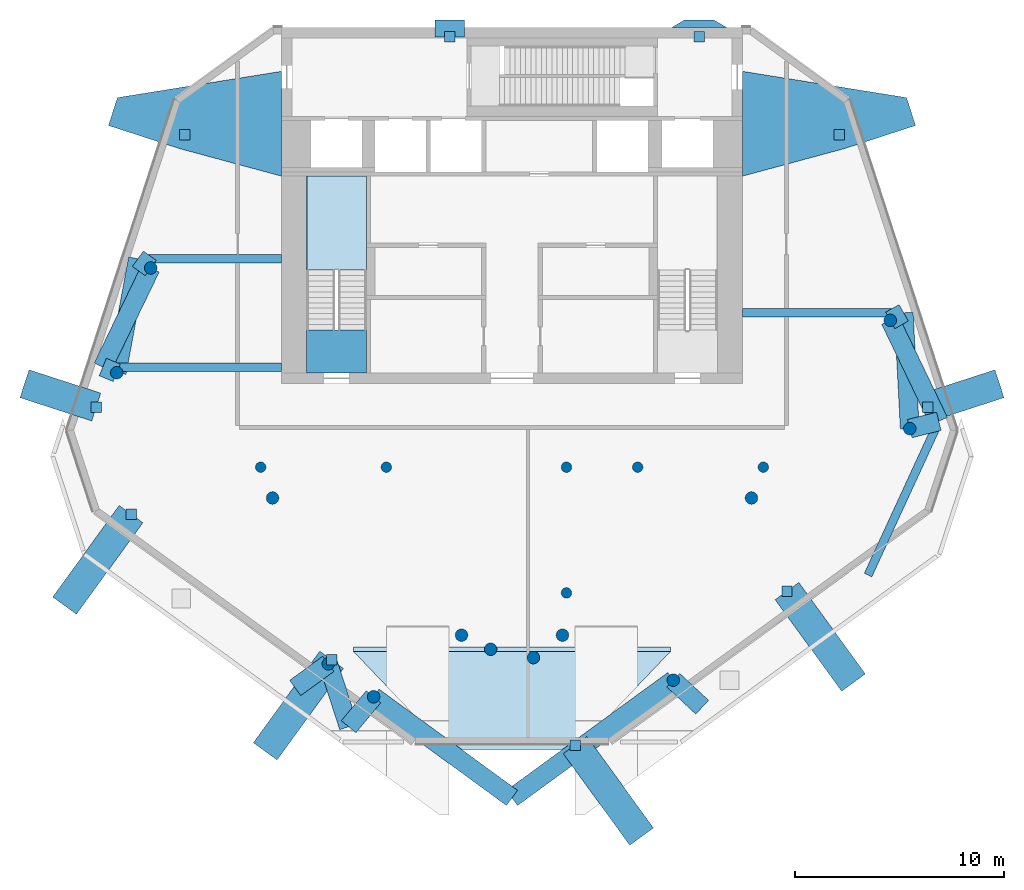
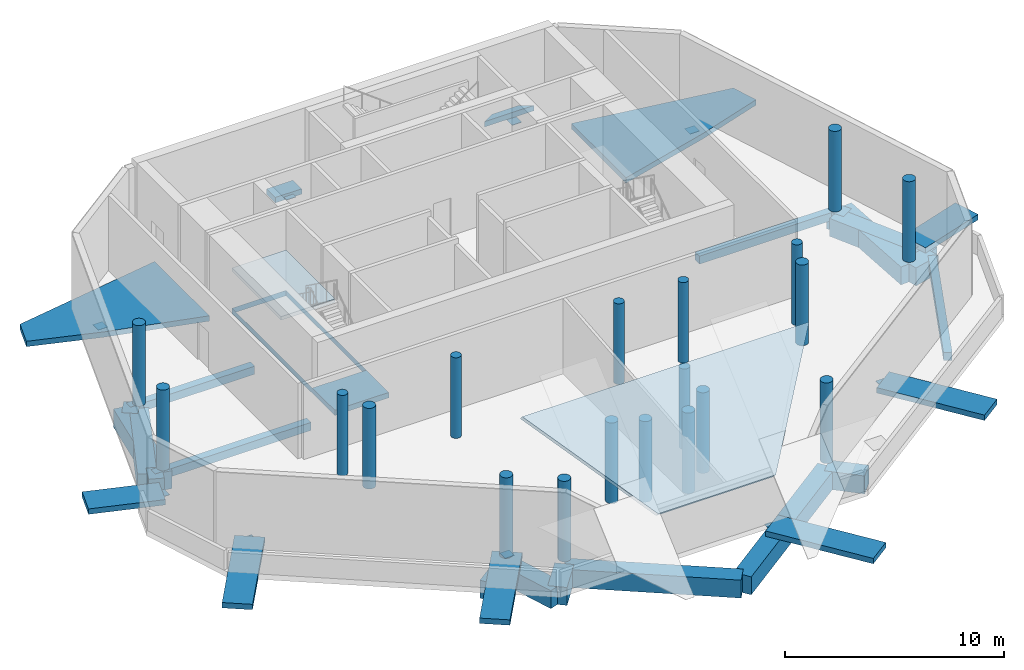
# One storey, part 1 of 8: 19 columns, 18 beams, 10 discrete accessories, 10 members, 3 slabs, 1 element without a shape of its own.
"""IFC4 building model written with IfcOpenShell, lengths in metres."""

from ifc_helpers import new_model, si_unit, direction, frame, origin, origin_2d, place, context, subcontext, project, spatial, polyline, rectangle, circle, outline, extrude, material, layer, layer_set, material_profile, profile_set, type_object, element, aggregate, save


model = new_model("IFC4")

# Units and contexts
model_context = context("Model", 3, precision=1e-05, world=origin(), true_north=direction((0.0, 1.0)))
body_context = subcontext(model_context, "Body", "Model", "MODEL_VIEW")
ifc_project = project(units=[si_unit("LENGTHUNIT", "METRE"), si_unit("AREAUNIT", "SQUARE_METRE"), si_unit("VOLUMEUNIT", "CUBIC_METRE"), si_unit("PLANEANGLEUNIT", "RADIAN"), si_unit("MASSUNIT", "GRAM", prefix="KILO")], contexts=[model_context])

# Site, building, storey
site_placement = place(None, origin())
site = spatial("IfcSite", under=ifc_project, at=site_placement, CompositionType="ELEMENT")
building_placement = place(site_placement, origin())
building = spatial("IfcBuilding", under=site, at=building_placement, Name="White Candle Pilgrim Tower", CompositionType="ELEMENT")
storey_placement = place(building_placement, frame((0.0, 0.0, 328.699951171875)))
storey = spatial("IfcBuildingStorey", under=building, at=storey_placement, Name="L77", CompositionType="ELEMENT", Elevation=328.699951171875)

# Columns
ifc_material_1 = material(Name="Concrete C60/75", Category="concrete")
ifc_material_profile_1 = material_profile(ifc_material_1, circle(Radius=0.25, at=origin_2d()), Name="RC-COL D500")
ifc_profile_set_1 = profile_set([ifc_material_profile_1], Name="Concrete C60/75")
column_type_1 = type_object("IfcColumnType", Name="Interior column RC-COL D500 C60/75", PredefinedType="COLUMN", material=ifc_profile_set_1)
for number, where, z_axis, x_axis, name in (
    (1, (58.0, 67.0, 0.0), (0.0, 0.0, 1.0), (1.0, 0.0, 0.0), "L77 crown column I01"),
    (2, (64.0, 67.0, 0.0), (0.0, 0.0, 1.0), (1.0, 0.0, 0.0), "L77 crown column I02"),
    (3, (72.60009765625, 61.0, 0.0), (0.0, 0.0, 1.0), (1.0, 0.0, 0.0), "L77 crown column I03"),
    (4, (72.60009765625, 67.0, 0.0), (0.0, 0.0, 1.0), (1.0, 0.0, 0.0), "L77 crown column I04"),
    (5, (76.0, 67.0, 0.0), (0.0, 0.0, 1.0), (1.0, 0.0, 0.0), "L77 crown column I05"),
    (6, (82.0, 67.0, 0.0), (0.0, 0.0, 1.0), (1.0, 0.0, 0.0), "L77 crown column I06"),
):
    element("IfcColumn", number, at=place(storey_placement, frame(where, z_axis=z_axis, x_axis=x_axis)), inside=storey, type_object=column_type_1, Name=name, PredefinedType="COLUMN", context=body_context, shape_type="SweptSolid", body=[
        extrude(circle(Radius=0.25, at=origin_2d()), origin(), (0.0, 0.0, 1.0), 4.5),
    ])
ifc_material_profile_2 = material_profile(ifc_material_1, circle(Radius=0.300048828125, at=origin_2d()), Name="RC-COL D600")
ifc_profile_set_2 = profile_set([ifc_material_profile_2], Name="Concrete C60/75")
column_type_2 = type_object("IfcColumnType", Name="Perimeter column RC-COL D600 C60/75", PredefinedType="COLUMN", material=ifc_profile_set_2)
for number, where, z_axis, x_axis, name in (
    (7, (61.22998046875, 57.610107421875, 0.0), (0.0, 0.0, 1.0), (1.0, 0.0, 0.0), "L77 crown column T01"),
    (8, (63.389892578125, 56.0400390625, 0.0), (0.0, 0.0, 1.0), (1.0, 0.0, 0.0), "L77 crown column T02"),
    (9, (77.699951171875, 56.830078125, 0.0), (0.0, 0.0, 1.0), (1.0, 0.0, 0.0), "L77 crown column T04"),
    (10, (88.989990234375, 68.840087890625, 0.0), (0.0, 0.0, 1.0), (1.0, 0.0, 0.0), "L77 crown column T05"),
    (11, (88.06005859375, 74.010009765625, 0.0), (0.0, 0.0, 1.0), (1.0, 0.0, 0.0), "L77 crown column T06"),
    (12, (52.75, 76.510009765625, 0.0), (0.0, 0.0, 1.0), (1.0, 0.0, 0.0), "L77 crown column T07"),
    (13, (51.1298828125, 71.510009765625, 0.0), (0.0, 0.0, 1.0), (1.0, 0.0, 0.0), "L77 crown column T08"),
):
    element("IfcColumn", number, at=place(storey_placement, frame(where, z_axis=z_axis, x_axis=x_axis)), inside=storey, type_object=column_type_2, Name=name, PredefinedType="COLUMN", context=body_context, shape_type="SweptSolid", body=[
        extrude(circle(Radius=0.300048828125, at=origin_2d()), origin(), (0.0, 0.0, 1.0), 4.5),
    ])
ifc_material_profile_3 = material_profile(ifc_material_1, circle(Radius=0.300048828125, at=origin_2d()), Name="RC-COL D600")
ifc_profile_set_3 = profile_set([ifc_material_profile_3], Name="Concrete C60/75")
column_type_3 = type_object("IfcColumnType", Name="Ring column RC-COL D600 C60/75", PredefinedType="COLUMN", material=ifc_profile_set_3)
for number, where, z_axis, x_axis, name in (
    (14, (67.590087890625, 58.97998046875, 0.0), (0.0, 0.0, 1.0), (1.0, 0.0, 0.0), "L77 crown column R01"),
    (15, (68.97998046875, 58.31005859375, 0.0), (0.0, 0.0, 1.0), (1.0, 0.0, 0.0), "L77 crown column R02"),
    (16, (71.02001953125, 57.909912109375, 0.0), (0.0, 0.0, 1.0), (1.0, 0.0, 0.0), "L77 crown column R03"),
    (17, (72.409912109375, 58.97998046875, 0.0), (0.0, 0.0, 1.0), (1.0, 0.0, 0.0), "L77 crown column R04"),
    (18, (81.429931640625, 65.530029296875, 0.0), (0.0, 0.0, 1.0), (1.0, 0.0, 0.0), "L77 crown column R05"),
    (19, (58.570068359375, 65.530029296875, 0.0), (0.0, 0.0, 1.0), (1.0, 0.0, 0.0), "L77 crown column R06"),
):
    element("IfcColumn", number, at=place(storey_placement, frame(where, z_axis=z_axis, x_axis=x_axis)), inside=storey, type_object=column_type_3, Name=name, PredefinedType="COLUMN", context=body_context, shape_type="SweptSolid", body=[
        extrude(circle(Radius=0.300048828125, at=origin_2d()), origin(), (0.0, 0.0, 1.0), 4.5),
    ])

# Member
ifc_material_2 = material(Name="Concrete C70/85, white", Category="concrete")
ifc_layer_1 = layer(ifc_material_2, 0.300048828125)
ifc_layer_set_1 = layer_set([ifc_layer_1], Name="Node tie strut 3600x1400x300 C70/85")
member_type_1 = type_object("IfcMemberType", Name="Node tie strut 3600x1400x300 C70/85", PredefinedType="STRUT", material=ifc_layer_set_1)
member_1_placement = place(storey_placement, frame((91.56103515625, 70.42822265625, -0.2998046875), z_axis=(0.0, 0.0, 1.0), x_axis=(-0.309016994375, 0.951056516295, 0.0)))
member_1 = element("IfcMember", 20, at=member_1_placement, inside=storey, type_object=member_type_1, Name="Node tie strut NC267", PredefinedType="STRUT", context=body_context, shape_type="SweptSolid", body=[
    extrude(rectangle(XDim=1.39990234375, YDim=3.60009765625, at=origin_2d()), origin(), (0.0, 0.0, 1.0), 0.300048828125),
])

member_2_placement = place(storey_placement, frame((0.0, 0.0, -0.300048828125)))
member_2 = element("IfcMember", 21, at=member_2_placement, inside=storey, type_object=member_type_1, Name="Node tie strut NC268", PredefinedType="STRUT", context=body_context, shape_type="SweptSolid", body=[
    extrude(outline(polyline([(81.0, 80.8916015625), (85.843505859375, 82.2001953125), (89.26708984375, 83.312744140625), (88.834716796875, 84.644287109375), (81.0, 85.900634765625), (81.0, 80.8916015625)])), origin(), (0.0, 0.0, 1.0), 0.300048828125),
])

member_3_placement = place(storey_placement, frame((0.0, 0.0, -0.300048828125)))
member_3 = element("IfcMember", 22, at=member_3_placement, inside=storey, type_object=member_type_1, Name="Node tie strut NC275", PredefinedType="STRUT", context=body_context, shape_type="SweptSolid", body=[
    extrude(outline(polyline([(59.0, 80.8916015625), (59.0, 85.900634765625), (51.165283203125, 84.644287109375), (50.73291015625, 83.312744140625), (54.156494140625, 82.2001953125), (59.0, 80.8916015625)])), origin(), (0.0, 0.0, 1.0), 0.300048828125),
])

member_4_placement = place(storey_placement, frame((48.43896484375, 70.42822265625, -0.2998046875), z_axis=(0.0, 0.0, 1.0), x_axis=(-0.309016994375, -0.951056516295, 0.0)))
member_4 = element("IfcMember", 23, at=member_4_placement, inside=storey, type_object=member_type_1, Name="Node tie strut NC276", PredefinedType="STRUT", context=body_context, shape_type="SweptSolid", body=[
    extrude(rectangle(XDim=1.39990234375, YDim=3.60009765625, at=origin_2d()), origin(), (0.0, 0.0, 1.0), 0.300048828125),
])

ifc_layer_2 = layer(ifc_material_2, 0.300048828125)
ifc_layer_set_2 = layer_set([ifc_layer_2], Name="Node tie strut 5400x1400x300 C70/85")
member_type_2 = type_object("IfcMemberType", Name="Node tie strut 5400x1400x300 C70/85", PredefinedType="STRUT", material=ifc_layer_set_2)
member_5_placement = place(storey_placement, frame((74.599853515625, 51.550048828125, -0.2998046875), z_axis=(0.0, 0.0, 1.0), x_axis=(0.809016994375, 0.587785252292, 0.0)))
member_5 = element("IfcMember", 24, at=member_5_placement, inside=storey, type_object=member_type_2, Name="Node tie strut NC271", PredefinedType="STRUT", context=body_context, shape_type="SweptSolid", body=[
    extrude(rectangle(XDim=1.39990234375, YDim=5.39990234375, at=origin_2d()), origin(), (0.0, 0.0, 1.0), 0.300048828125),
])

member_6_placement = place(storey_placement, frame((84.716552734375, 58.900390625, -0.2998046875), z_axis=(0.0, 0.0, 1.0), x_axis=(0.809016994375, 0.587785252292, 0.0)))
member_6 = element("IfcMember", 25, at=member_6_placement, inside=storey, type_object=member_type_2, Name="Node tie strut NC272", PredefinedType="STRUT", context=body_context, shape_type="SweptSolid", body=[
    extrude(rectangle(XDim=1.39990234375, YDim=5.39990234375, at=origin_2d()), origin(), (0.0, 0.0, 1.0), 0.300048828125),
])

member_7_placement = place(storey_placement, frame((50.22509765625, 62.575439453125, -0.2998046875), z_axis=(0.0, 0.0, 1.0), x_axis=(0.809016994375, -0.587785252292, 0.0)))
member_7 = element("IfcMember", 26, at=member_7_placement, inside=storey, type_object=member_type_2, Name="Node tie strut NC273", PredefinedType="STRUT", context=body_context, shape_type="SweptSolid", body=[
    extrude(rectangle(XDim=1.39990234375, YDim=5.39990234375, at=origin_2d()), origin(), (0.0, 0.0, 1.0), 0.300048828125),
])

member_8_placement = place(storey_placement, frame((59.802490234375, 55.6171875, -0.2998046875), z_axis=(0.0, 0.0, 1.0), x_axis=(0.809016994375, -0.587785252292, 0.0)))
member_8 = element("IfcMember", 27, at=member_8_placement, inside=storey, type_object=member_type_2, Name="Node tie strut NC274", PredefinedType="STRUT", context=body_context, shape_type="SweptSolid", body=[
    extrude(rectangle(XDim=1.39990234375, YDim=5.39990234375, at=origin_2d()), origin(), (0.0, 0.0, 1.0), 0.300048828125),
])

ifc_layer_3 = layer(ifc_material_2, 0.300048828125)
ifc_layer_set_3 = layer_set([ifc_layer_3], Name="Node tie strut 800x1400x300 C70/85")
member_type_3 = type_object("IfcMemberType", Name="Node tie strut 800x1400x300 C70/85", PredefinedType="STRUT", material=ifc_layer_set_3)
member_9_placement = place(storey_placement, frame((0.0, 0.0, -0.300048828125)))
member_9 = element("IfcMember", 28, at=member_9_placement, inside=storey, type_object=member_type_3, Name="Node tie strut NC269", PredefinedType="STRUT", context=body_context, shape_type="SweptSolid", body=[
    extrude(outline(polyline([(77.636962890625, 88.0), (80.237060546875, 88.0), (79.636962890625, 88.35009765625), (78.237060546875, 88.35009765625), (77.636962890625, 88.0)])), origin(), (0.0, 0.0, 1.0), 0.300048828125),
])

member_10_placement = place(storey_placement, frame((67.02099609375, 87.949951171875, -0.2998046875), z_axis=(0.0, 0.0, 1.0), x_axis=(-1.0, 0.0, 0.0)))
member_10 = element("IfcMember", 29, at=member_10_placement, inside=storey, type_object=member_type_3, Name="Node tie strut NC270", PredefinedType="STRUT", context=body_context, shape_type="SweptSolid", body=[
    extrude(rectangle(XDim=1.39990234375, YDim=0.800048828125, at=origin_2d()), origin(), (0.0, 0.0, 1.0), 0.300048828125),
])

# Beams
ifc_material_3 = material(Name="Concrete C50/60", Category="concrete")
ifc_material_profile_4 = material_profile(ifc_material_3, rectangle(XDim=0.39990234375, YDim=0.449951171875, at=origin_2d()), Name="RC-BM 400x450")
ifc_profile_set_4 = profile_set([ifc_material_profile_4], Name="Concrete C50/60")
beam_type_1 = type_object("IfcBeamType", Name="Spandrel beam RC-BM 400x450 C50/60", PredefinedType="BEAM", material=ifc_profile_set_4)
beam_1_placement = place(storey_placement, frame((88.39990234375, 74.3701171875, -0.52490234375), z_axis=(-1.0, 0.0, 0.0), x_axis=(0.0, -1.0, 0.0)))
element("IfcBeam", 30, at=beam_1_placement, inside=storey, type_object=beam_type_1, Name="L77 spandrel beam T01", PredefinedType="BEAM", context=body_context, shape_type="SweptSolid", body=[
    extrude(rectangle(XDim=0.39990234375, YDim=0.449951171875, at=origin_2d()), origin(), (0.0, 0.0, 1.0), 7.39990234375),
])
beam_2_placement = place(storey_placement, frame((52.43994140625, 76.949951171875, -0.52490234375), z_axis=(1.0, 0.0, 0.0), x_axis=(0.0, 1.0, 0.0)))
element("IfcBeam", 31, at=beam_2_placement, inside=storey, type_object=beam_type_1, Name="L77 spandrel beam T02", PredefinedType="BEAM", context=body_context, shape_type="SweptSolid", body=[
    extrude(rectangle(XDim=0.39990234375, YDim=0.449951171875, at=origin_2d()), origin(), (0.0, 0.0, 1.0), 6.56005859375),
])
beam_3_placement = place(storey_placement, frame((50.760009765625, 71.780029296875, -0.52490234375), z_axis=(1.0, 0.0, 0.0), x_axis=(0.0, 1.0, 0.0)))
element("IfcBeam", 32, at=beam_3_placement, inside=storey, type_object=beam_type_1, Name="L77 spandrel beam T03", PredefinedType="BEAM", context=body_context, shape_type="SweptSolid", body=[
    extrude(rectangle(XDim=0.39990234375, YDim=0.449951171875, at=origin_2d()), origin(), (0.0, 0.0, 1.0), 8.239990234375),
])
beam_4_placement = place(storey_placement, frame((90.254638671875, 68.91748046875, -0.52490234375), z_axis=(-0.418291960853, -0.908312630918, 0.0), x_axis=(0.908312630918, -0.418291960853, 0.0)))
element("IfcBeam", 33, at=beam_4_placement, inside=storey, type_object=beam_type_1, Name="L77 spandrel beam T04", PredefinedType="BEAM", context=body_context, shape_type="SweptSolid", body=[
    extrude(rectangle(XDim=0.39990234375, YDim=0.449951171875, at=origin_2d()), origin(), (0.0, 0.0, 1.0), 7.78076171875),
])
ifc_material_profile_5 = material_profile(ifc_material_3, rectangle(XDim=0.89990234375, YDim=1.0, at=origin_2d()), Name="RC-BM 900x1000")
ifc_profile_set_5 = profile_set([ifc_material_profile_5], Name="Concrete C50/60")
beam_type_2 = type_object("IfcBeamType", Name="Transfer girder RC-BM 900x1000 C50/60", PredefinedType="BEAM", material=ifc_profile_set_5)
beam_5_placement = place(storey_placement, frame((59.64990234375, 56.4599609375, -0.800048828125), z_axis=(0.808492924451, 0.588505897263, 0.0), x_axis=(-0.588505897263, 0.808492924451, 0.0)))
element("IfcBeam", 34, at=beam_5_placement, inside=storey, type_object=beam_type_2, Name="L77 transfer girder T01", PredefinedType="BEAM", context=body_context, shape_type="SweptSolid", body=[
    extrude(rectangle(XDim=0.89990234375, YDim=1.0, at=origin_2d()), origin(), (0.0, 0.0, 1.0), 1.954345703125),
])
beam_6_placement = place(storey_placement, frame((61.22998046875, 57.610107421875, -0.800048828125), z_axis=(0.307642977548, -0.951501864615, 0.0), x_axis=(0.951501864615, 0.307642977548, 0.0)))
element("IfcBeam", 35, at=beam_6_placement, inside=storey, type_object=beam_type_2, Name="L77 transfer girder T02", PredefinedType="BEAM", context=body_context, shape_type="SweptSolid", body=[
    extrude(rectangle(XDim=0.89990234375, YDim=1.0, at=origin_2d()), origin(), (0.0, 0.0, 1.0), 3.15283203125),
])
beam_7_placement = place(storey_placement, frame((79.080078125, 55.5400390625, -0.800048828125), z_axis=(-0.730547961571, 0.682861388456, 0.0), x_axis=(-0.682861388456, -0.730547961571, 0.0)))
element("IfcBeam", 36, at=beam_7_placement, inside=storey, type_object=beam_type_2, Name="L77 transfer girder T03", PredefinedType="BEAM", context=body_context, shape_type="SweptSolid", body=[
    extrude(rectangle(XDim=0.89990234375, YDim=1.0, at=origin_2d()), origin(), (0.0, 0.0, 1.0), 1.88916015625),
])
beam_8_placement = place(storey_placement, frame((77.699951171875, 56.830078125, -0.800048828125), z_axis=(-0.807729309805, -0.58955352775, 0.0), x_axis=(0.58955352775, -0.807729309805, 0.0)))
element("IfcBeam", 37, at=beam_8_placement, inside=storey, type_object=beam_type_2, Name="L77 transfer girder T04", PredefinedType="BEAM", context=body_context, shape_type="SweptSolid", body=[
    extrude(rectangle(XDim=0.89990234375, YDim=1.0, at=origin_2d()), origin(), (0.0, 0.0, 1.0), 9.53271484375),
])
beam_9_placement = place(storey_placement, frame((62.199951171875, 54.610107421875, -0.800048828125), z_axis=(0.639654992042, 0.768662143699, 0.0), x_axis=(-0.768662143699, 0.639654992042, 0.0)))
element("IfcBeam", 38, at=beam_9_placement, inside=storey, type_object=beam_type_2, Name="L77 transfer girder T05", PredefinedType="BEAM", context=body_context, shape_type="SweptSolid", body=[
    extrude(rectangle(XDim=0.89990234375, YDim=1.0, at=origin_2d()), origin(), (0.0, 0.0, 1.0), 1.8603515625),
])
beam_10_placement = place(storey_placement, frame((63.389892578125, 56.0400390625, -0.800048828125), z_axis=(0.807413523648, -0.589985933587, 0.0), x_axis=(0.589985933587, 0.807413523648, 0.0)))
element("IfcBeam", 39, at=beam_10_placement, inside=storey, type_object=beam_type_2, Name="L77 transfer girder T06", PredefinedType="BEAM", context=body_context, shape_type="SweptSolid", body=[
    extrude(rectangle(XDim=0.89990234375, YDim=1.0, at=origin_2d()), origin(), (0.0, 0.0, 1.0), 8.186767578125),
])
beam_11_placement = place(storey_placement, frame((90.3798828125, 69.18994140625, -0.800048828125), z_axis=(-0.969750458911, -0.244098438015, 0.0), x_axis=(0.244098438015, -0.969750458911, 0.0)))
element("IfcBeam", 40, at=beam_11_placement, inside=storey, type_object=beam_type_2, Name="L77 transfer girder T07", PredefinedType="BEAM", context=body_context, shape_type="SweptSolid", body=[
    extrude(rectangle(XDim=0.89990234375, YDim=1.0, at=origin_2d()), origin(), (0.0, 0.0, 1.0), 1.433349609375),
])
beam_12_placement = place(storey_placement, frame((88.989990234375, 68.840087890625, -0.800048828125), z_axis=(-0.052376027173, 0.99862743392, 0.0), x_axis=(-0.99862743392, -0.052376027173, 0.0)))
element("IfcBeam", 41, at=beam_12_placement, inside=storey, type_object=beam_type_2, Name="L77 transfer girder T08", PredefinedType="BEAM", context=body_context, shape_type="SweptSolid", body=[
    extrude(rectangle(XDim=0.89990234375, YDim=1.0, at=origin_2d()), origin(), (0.0, 0.0, 1.0), 5.53759765625),
])
beam_13_placement = place(storey_placement, frame((52.139892578125, 76.949951171875, -0.800048828125), z_axis=(0.811115501909, -0.584886008179, 0.0), x_axis=(0.584886008179, 0.811115501909, 0.0)))
element("IfcBeam", 42, at=beam_13_placement, inside=storey, type_object=beam_type_2, Name="L77 transfer girder T09", PredefinedType="BEAM", context=body_context, shape_type="SweptSolid", body=[
    extrude(rectangle(XDim=0.89990234375, YDim=1.0, at=origin_2d()), origin(), (0.0, 0.0, 1.0), 0.752197265625),
])
beam_14_placement = place(storey_placement, frame((52.75, 76.510009765625, -0.800048828125), z_axis=(-0.435767349009, -0.90005934112, 0.0), x_axis=(0.90005934112, -0.435767349009, 0.0)))
element("IfcBeam", 43, at=beam_14_placement, inside=storey, type_object=beam_type_2, Name="L77 transfer girder T10", PredefinedType="BEAM", context=body_context, shape_type="SweptSolid", body=[
    extrude(rectangle(XDim=0.89990234375, YDim=1.0, at=origin_2d()), origin(), (0.0, 0.0, 1.0), 5.255126953125),
])
beam_15_placement = place(storey_placement, frame((88.699951171875, 74.3701171875, -0.800048828125), z_axis=(-0.871477842307, -0.490434878826, 0.0), x_axis=(0.490434878826, -0.871477842307, 0.0)))
element("IfcBeam", 44, at=beam_15_placement, inside=storey, type_object=beam_type_2, Name="L77 transfer girder T11", PredefinedType="BEAM", context=body_context, shape_type="SweptSolid", body=[
    extrude(rectangle(XDim=0.89990234375, YDim=1.0, at=origin_2d()), origin(), (0.0, 0.0, 1.0), 0.734375),
])
beam_16_placement = place(storey_placement, frame((88.06005859375, 74.010009765625, -0.800048828125), z_axis=(0.433671526952, -0.901071033111, 0.0), x_axis=(0.901071033111, 0.433671526952, 0.0)))
element("IfcBeam", 45, at=beam_16_placement, inside=storey, type_object=beam_type_2, Name="L77 transfer girder T12", PredefinedType="BEAM", context=body_context, shape_type="SweptSolid", body=[
    extrude(rectangle(XDim=0.89990234375, YDim=1.0, at=origin_2d()), origin(), (0.0, 0.0, 1.0), 5.349365234375),
])
beam_17_placement = place(storey_placement, frame((50.4599609375, 71.780029296875, -0.800048828125), z_axis=(0.92749440651, -0.373837031195, 0.0), x_axis=(0.373837031195, 0.92749440651, 0.0)))
element("IfcBeam", 46, at=beam_17_placement, inside=storey, type_object=beam_type_2, Name="L77 transfer girder T13", PredefinedType="BEAM", context=body_context, shape_type="SweptSolid", body=[
    extrude(rectangle(XDim=0.89990234375, YDim=1.0, at=origin_2d()), origin(), (0.0, 0.0, 1.0), 0.722412109375),
])
beam_18_placement = place(storey_placement, frame((51.1298828125, 71.510009765625, -0.800048828125), z_axis=(0.182545883525, 0.983197335436, 0.0), x_axis=(-0.983197335436, 0.182545883525, 0.0)))
element("IfcBeam", 47, at=beam_18_placement, inside=storey, type_object=beam_type_2, Name="L77 transfer girder T14", PredefinedType="BEAM", context=body_context, shape_type="SweptSolid", body=[
    extrude(rectangle(XDim=0.89990234375, YDim=1.0, at=origin_2d()), origin(), (0.0, 0.0, 1.0), 5.532958984375),
])

# Slabs
ifc_material_4 = material(Name="Concrete C40/50", Category="concrete")
ifc_layer_4 = layer(ifc_material_4, 0.300048828125)
ifc_layer_set_4 = layer_set([ifc_layer_4], Name="Core floor slab 300 mm Concrete C40/50")
slab_type_1 = type_object("IfcSlabType", Name="Core floor slab 300 mm Concrete C40/50", PredefinedType="FLOOR", material=ifc_layer_set_4)
slab_1_placement = place(storey_placement, frame((0.0, 0.0, -0.300048828125)))
element("IfcSlab", 48, at=slab_1_placement, inside=storey, type_object=slab_type_1, Name="CF-L77-05", PredefinedType="FLOOR", context=body_context, shape_type="SweptSolid", body=[
    extrude(outline(polyline([(60.199951171875, 80.89990234375), (63.050048828125, 80.89990234375), (63.050048828125, 77.699951171875), (63.050048828125, 77.5), (63.050048828125, 75.199951171875), (63.050048828125, 75.0), (63.050048828125, 71.5), (60.199951171875, 71.5), (60.199951171875, 80.89990234375)]), holes=[polyline([(63.048095703125, 80.89794921875), (60.201904296875, 80.89794921875), (60.201904296875, 73.552001953125), (63.048095703125, 73.552001953125), (63.048095703125, 80.89794921875)])]), origin(), (0.0, 0.0, 1.0), 0.300048828125),
])
ifc_layer_5 = layer(ifc_material_4, 0.300048828125)
ifc_layer_set_5 = layer_set([ifc_layer_5], Name="Roof slab 300 REI 120")
slab_type_2 = type_object("IfcSlabType", Name="Roof slab 300 REI 120", PredefinedType="ROOF", material=ifc_layer_set_5)
slab_2_placement = place(storey_placement, frame((66.745849609375, 53.68212890625, 2.913818359375), z_axis=(0.0, -0.662911510214, 0.748697755858), x_axis=(-0.581687952, 0.608999759584, 0.539220195583)))
element("IfcSlab", 49, at=slab_2_placement, inside=storey, type_object=slab_type_2, Name="Roof slab L77-01", PredefinedType="ROOF", context=body_context, shape_type="SweptSolid", body=[
    extrude(outline(polyline([(0.0, 0.0), (0.25728262483401576, 6.938893903907228e-18), (0.5146968952235937, -9.414248992523078e-05), (0.771837506397453, -0.00029272941070399017), (1.0291201312314688, -0.00029272941070399017), (1.2865344016210467, -0.0003868719006291932), (1.543668344873133, -0.0002805465919689665), (1.8008089560469922, -0.0004791335127476981), (2.058091580881008, -0.00047913351274780913), (2.315505851270586, -0.0005732760026729289), (2.572646462444445, -0.0007718629234517715), (2.829929087278461, -0.0007718629234518826), (3.087343357668039, -0.0008660054133770023), (3.3446259825020546, -0.0008660054133768913), (3.6017665936759142, -0.0010645923341555674), (3.8590321824835625, -0.001052409515420849), (4.116314807317578, -0.00105240951542096), (4.373455418491437, -0.0012509964361997472), (4.630869688881015, -0.001345138926124645), (4.888152313715032, -0.001345138926124756), (5.145434938549047, -0.001345138926124756), (5.402558513696539, -0.0015315430281688247), (5.659841138530554, -0.0015315430281688247), (5.916981749704414, -0.0017301299489469457), (6.174396020093992, -0.0018242724388723985), (6.431678644928008, -0.0018242724388723985), (6.688961269762023, -0.0018242724388723985), (6.946226858569672, -0.0018120896201376802), (7.203367469743531, -0.002010676540916023), (7.433410125762435, -0.0020401560071281466), (-1.3808097055022697, -12.327535981060821), (-1.455205389989802, -12.109855236421105), (-1.538521281132276, -11.866586258467137), (-1.621678122588225, -11.62313087641113), (-1.704852000070543, -11.379663311536385), (-1.7880258775528595, -11.136195746661643), (-1.8713314005907387, -10.892634039296972), (-1.9546472917332123, -10.649365061343008), (-2.0378211692155292, -10.405897496468265), (-2.1211200243316357, -10.162640701333036), (-2.2042939018139522, -9.919173136458292), (-2.2874677792962697, -9.67570557158355), (-2.3707733023341495, -9.432143864218881), (-2.454089193476622, -9.188874886264918), (-2.5372630709589394, -8.945407321390173), (-2.6204199124148895, -8.701951939334164), (-2.703735803557362, -8.458682961380198), (-2.7869096810396803, -8.215215396505455), (-2.870215204077559, -7.971653689140787), (-2.953389081559876, -7.728186124266044), (-3.0367049727023496, -7.484917146312079), (-3.1200104957402286, -7.24135543894741), (-3.2031843732225456, -6.997887874072667), (-3.286500264365019, -6.754618896118702), (-3.3695254602654066, -6.511257656552619), (-3.452830983303286, -6.26769594918795), (-3.536004860785603, -6.024228384313207), (-3.6193207519280763, -5.7809594063592415), (-3.7026262749659558, -5.537397698994574), (-3.7858001524482727, -5.2939301341198295), (-3.8691160435907466, -5.050661156165865), (-0.25714061117385945, 0.00019858692077873857), (0.0, 0.0)])), origin(), (0.0, 0.0, -1.0), 0.300048828125),
])

# Stair, slab
stair_type = type_object("IfcStairType", Name="Exit stair 1 flight width 1350 mm", PredefinedType="HALF_TURN_STAIR", material=ifc_material_4)
stair_placement = place(storey_placement, origin())
stair = element("IfcStair", 50, at=stair_placement, inside=storey, type_object=stair_type, Name="L77 stair 1", PredefinedType="NOTDEFINED")
ifc_layer_6 = layer(ifc_material_4, 0.199951171875)
ifc_layer_set_6 = layer_set([ifc_layer_6], Name="Stair landing Concrete C40/50")
slab_type_3 = type_object("IfcSlabType", Name="Stair landing Concrete C40/50", PredefinedType="LANDING", material=ifc_layer_set_6)
slab_3_placement = place(storey_placement, frame((0.0, 0.0, 2.050048828125)))
slab_3 = element("IfcSlab", 51, at=slab_3_placement, type_object=slab_type_3, Name="ST1 landing 1", PredefinedType="LANDING", context=body_context, shape_type="SweptSolid", body=[
    extrude(outline(polyline([(63.052001953125, 76.407958984375), (60.197998046875, 76.407958984375), (60.197998046875, 80.902099609375), (63.052001953125, 80.902099609375), (63.052001953125, 76.407958984375)])), origin(), (0.0, 0.0, 1.0), 0.199951171875),
])
aggregate(stair, [slab_3])

# Discrete accessory
ifc_material_5 = material(Name="Steel S355", Category="steel")
ifc_layer_7 = layer(ifc_material_5, 0.02490234375)
ifc_layer_set_7 = layer_set([ifc_layer_7], Name="Gusset plate 500x500x25 S355")
discrete_accessory_type = type_object("IfcDiscreteAccessoryType", Name="Gusset plate 500x500x25 S355", PredefinedType="BRACKET", material=ifc_layer_set_7)
discrete_accessory_1_placement = place(storey_placement, frame((89.84912109375, 69.8720703125, -0.162353515625), z_axis=(0.0, 0.0, 1.0), x_axis=(1.0, 0.0, 0.0)))
discrete_accessory_1 = element("IfcDiscreteAccessory", 52, at=discrete_accessory_1_placement, type_object=discrete_accessory_type, Name="Gusset plate 0648", PredefinedType="BRACKET", context=body_context, shape_type="SweptSolid", body=[
    extrude(rectangle(XDim=0.5, YDim=0.5, at=origin_2d()), origin(), (0.0, 0.0, 1.0), 0.02490234375),
])

aggregate(member_1, [discrete_accessory_1])

discrete_accessory_2_placement = place(storey_placement, frame((85.627197265625, 82.865966796875, -0.162353515625), z_axis=(0.0, 0.0, 1.0), x_axis=(1.0, 0.0, 0.0)))
discrete_accessory_2 = element("IfcDiscreteAccessory", 53, at=discrete_accessory_2_placement, type_object=discrete_accessory_type, Name="Gusset plate 0649", PredefinedType="BRACKET", context=body_context, shape_type="SweptSolid", body=[
    extrude(rectangle(XDim=0.5, YDim=0.5, at=origin_2d()), origin(), (0.0, 0.0, 1.0), 0.02490234375),
])

aggregate(member_2, [discrete_accessory_2])

discrete_accessory_3_placement = place(storey_placement, frame((78.93701171875, 87.550048828125, -0.162353515625), z_axis=(0.0, 0.0, 1.0), x_axis=(1.0, 0.0, 0.0)))
discrete_accessory_3 = element("IfcDiscreteAccessory", 54, at=discrete_accessory_3_placement, type_object=discrete_accessory_type, Name="Gusset plate 0650", PredefinedType="BRACKET", context=body_context, shape_type="SweptSolid", body=[
    extrude(rectangle(XDim=0.5, YDim=0.5, at=origin_2d()), origin(), (0.0, 0.0, 1.0), 0.02490234375),
])

aggregate(member_9, [discrete_accessory_3])

discrete_accessory_4_placement = place(storey_placement, frame((67.02099609375, 87.550048828125, -0.162353515625), z_axis=(0.0, 0.0, 1.0), x_axis=(1.0, 0.0, 0.0)))
discrete_accessory_4 = element("IfcDiscreteAccessory", 55, at=discrete_accessory_4_placement, type_object=discrete_accessory_type, Name="Gusset plate 0651", PredefinedType="BRACKET", context=body_context, shape_type="SweptSolid", body=[
    extrude(rectangle(XDim=0.5, YDim=0.5, at=origin_2d()), origin(), (0.0, 0.0, 1.0), 0.02490234375),
])

aggregate(member_10, [discrete_accessory_4])

discrete_accessory_5_placement = place(storey_placement, frame((73.0126953125, 53.734375, -0.162353515625), z_axis=(0.0, 0.0, 1.0), x_axis=(1.0, 0.0, 0.0)))
discrete_accessory_5 = element("IfcDiscreteAccessory", 56, at=discrete_accessory_5_placement, type_object=discrete_accessory_type, Name="Gusset plate 0652", PredefinedType="BRACKET", context=body_context, shape_type="SweptSolid", body=[
    extrude(rectangle(XDim=0.5, YDim=0.5, at=origin_2d()), origin(), (0.0, 0.0, 1.0), 0.02490234375),
])

aggregate(member_5, [discrete_accessory_5])

discrete_accessory_6_placement = place(storey_placement, frame((83.129638671875, 61.084716796875, -0.162353515625), z_axis=(0.0, 0.0, 1.0), x_axis=(1.0, 0.0, 0.0)))
discrete_accessory_6 = element("IfcDiscreteAccessory", 57, at=discrete_accessory_6_placement, type_object=discrete_accessory_type, Name="Gusset plate 0653", PredefinedType="BRACKET", context=body_context, shape_type="SweptSolid", body=[
    extrude(rectangle(XDim=0.5, YDim=0.5, at=origin_2d()), origin(), (0.0, 0.0, 1.0), 0.02490234375),
])

aggregate(member_6, [discrete_accessory_6])

discrete_accessory_7_placement = place(storey_placement, frame((51.81201171875, 64.759765625, -0.162353515625), z_axis=(0.0, 0.0, 1.0), x_axis=(1.0, 0.0, 0.0)))
discrete_accessory_7 = element("IfcDiscreteAccessory", 58, at=discrete_accessory_7_placement, type_object=discrete_accessory_type, Name="Gusset plate 0654", PredefinedType="BRACKET", context=body_context, shape_type="SweptSolid", body=[
    extrude(rectangle(XDim=0.5, YDim=0.5, at=origin_2d()), origin(), (0.0, 0.0, 1.0), 0.02490234375),
])

aggregate(member_7, [discrete_accessory_7])

discrete_accessory_8_placement = place(storey_placement, frame((61.389404296875, 57.801513671875, -0.162353515625), z_axis=(0.0, 0.0, 1.0), x_axis=(1.0, 0.0, 0.0)))
discrete_accessory_8 = element("IfcDiscreteAccessory", 59, at=discrete_accessory_8_placement, type_object=discrete_accessory_type, Name="Gusset plate 0655", PredefinedType="BRACKET", context=body_context, shape_type="SweptSolid", body=[
    extrude(rectangle(XDim=0.5, YDim=0.5, at=origin_2d()), origin(), (0.0, 0.0, 1.0), 0.02490234375),
])

aggregate(member_8, [discrete_accessory_8])

discrete_accessory_9_placement = place(storey_placement, frame((54.372802734375, 82.865966796875, -0.162353515625), z_axis=(0.0, 0.0, 1.0), x_axis=(1.0, 0.0, 0.0)))
discrete_accessory_9 = element("IfcDiscreteAccessory", 60, at=discrete_accessory_9_placement, type_object=discrete_accessory_type, Name="Gusset plate 0656", PredefinedType="BRACKET", context=body_context, shape_type="SweptSolid", body=[
    extrude(rectangle(XDim=0.5, YDim=0.5, at=origin_2d()), origin(), (0.0, 0.0, 1.0), 0.02490234375),
])

aggregate(member_3, [discrete_accessory_9])

discrete_accessory_10_placement = place(storey_placement, frame((50.15087890625, 69.8720703125, -0.162353515625), z_axis=(0.0, 0.0, 1.0), x_axis=(1.0, 0.0, 0.0)))
discrete_accessory_10 = element("IfcDiscreteAccessory", 61, at=discrete_accessory_10_placement, type_object=discrete_accessory_type, Name="Gusset plate 0657", PredefinedType="BRACKET", context=body_context, shape_type="SweptSolid", body=[
    extrude(rectangle(XDim=0.5, YDim=0.5, at=origin_2d()), origin(), (0.0, 0.0, 1.0), 0.02490234375),
])

aggregate(member_4, [discrete_accessory_10])

save(model, "model.ifc")
